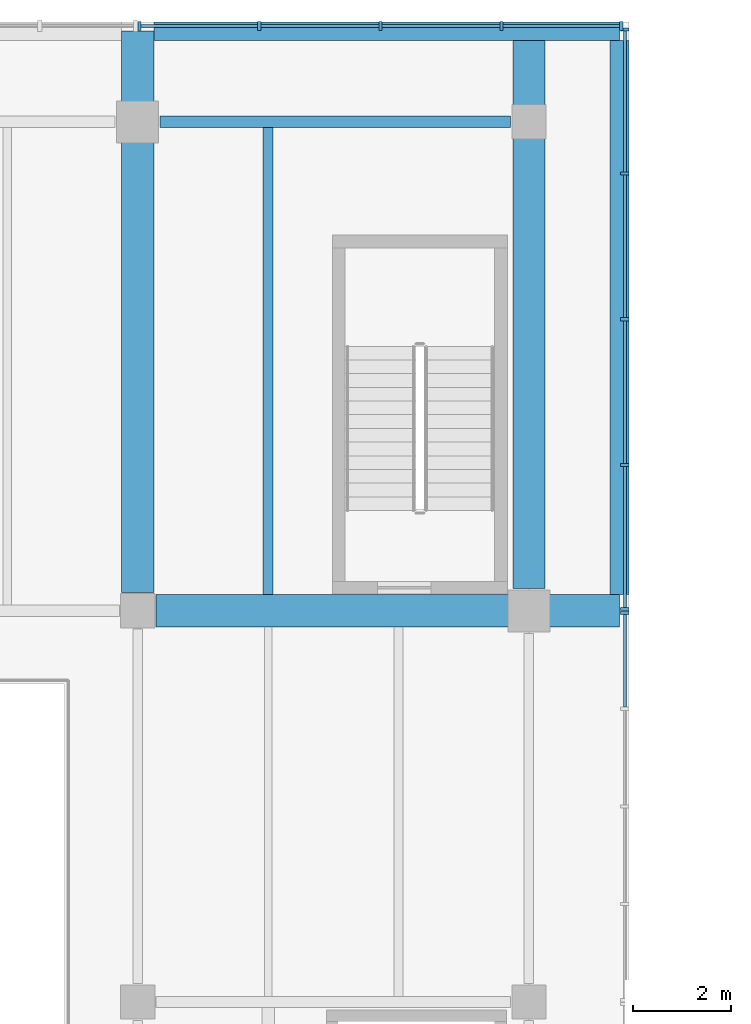
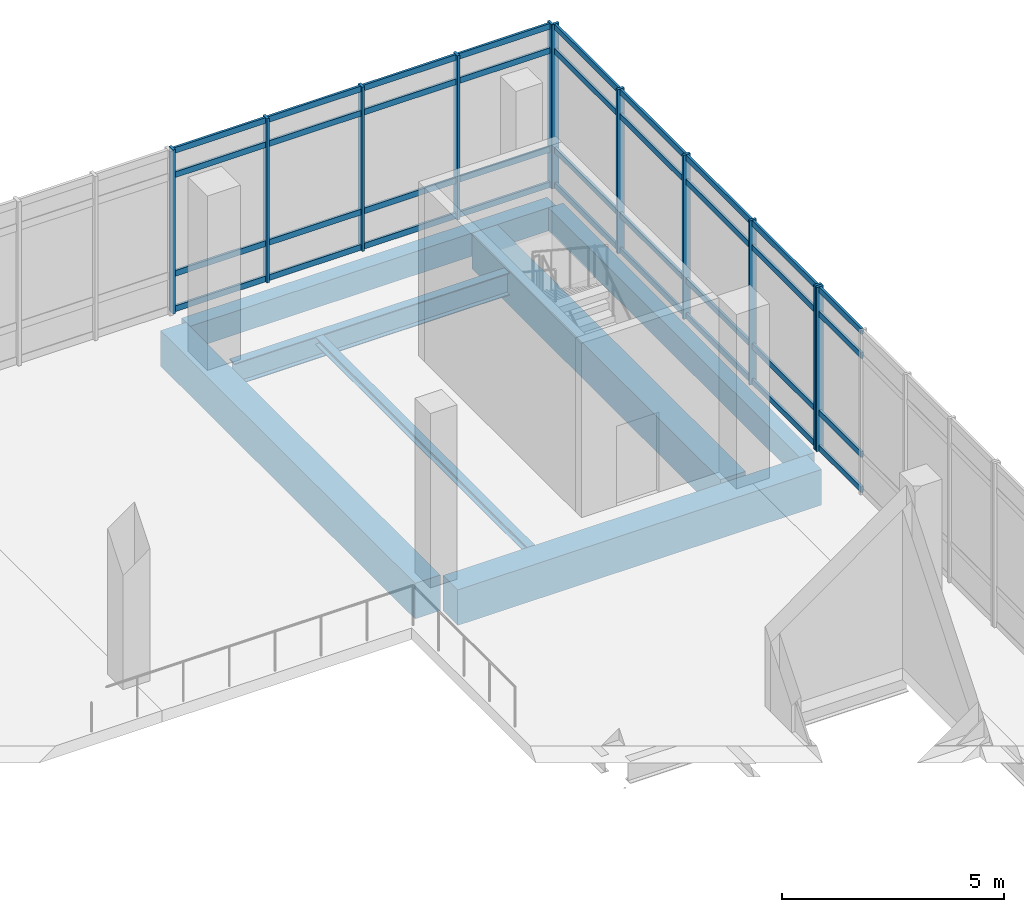
# One storey, part 23 of 47: 47 members, 7 beams, 3 elements without a shape of their own.
"""IFC4 building model written with IfcOpenShell, lengths in metres."""

from ifc_helpers import new_model, si_unit, direction, frame, origin, origin_2d, place, context, subcontext, project, spatial, rectangle, i_section, extrude, material, material_profile, profile_set, type_object, element, aggregate, save


model = new_model("IFC4")

# Units and contexts
model_context = context("Model", 3, precision=1e-05, world=origin(), true_north=direction((0.0, 1.0)))
body_context = subcontext(model_context, "Body", "Model", "MODEL_VIEW")
ifc_project = project(units=[si_unit("LENGTHUNIT", "METRE"), si_unit("AREAUNIT", "SQUARE_METRE"), si_unit("VOLUMEUNIT", "CUBIC_METRE"), si_unit("PLANEANGLEUNIT", "RADIAN"), si_unit("MASSUNIT", "GRAM", prefix="KILO")], contexts=[model_context])

# Site, building, storey
site_placement = place(None, origin())
site = spatial("IfcSite", under=ifc_project, at=site_placement, CompositionType="ELEMENT")
building_placement = place(site_placement, origin())
building = spatial("IfcBuilding", under=site, at=building_placement, Name="Pecanmere Concourse Central Library", CompositionType="ELEMENT")
storey_placement = place(building_placement, frame((0.0, 0.0, 15.300048828125)))
storey = spatial("IfcBuildingStorey", under=building, at=storey_placement, Name="L04", CompositionType="ELEMENT", Elevation=15.300048828125)

# Curtain wall, members
ifc_material_1 = material(Name="Anodized bronze aluminium alloy 6063-T6", Category="aluminium")
curtain_wall_type = type_object("IfcCurtainWallType", Name="CW_PLUMB_BANDED", PredefinedType="USERDEFINED", material=ifc_material_1)
curtain_wall_1_placement = place(storey_placement, origin())
curtain_wall_1 = element("IfcCurtainWall", 1, at=curtain_wall_1_placement, inside=storey, type_object=curtain_wall_type, Name="Unitised Curtain Wall CW-02 L04-038", ObjectType="UNITISED CURTAIN WALL", PredefinedType="USERDEFINED")
ifc_material_2 = material(Name="Anodized bronze aluminium alloy 6063-T6", Category="aluminium")
ifc_material_profile_1 = material_profile(ifc_material_2, rectangle(XDim=0.06494140625, YDim=0.179931640625, at=origin_2d()), Name="AL 65x180")
ifc_profile_set_1 = profile_set([ifc_material_profile_1], Name="Anodized bronze aluminium alloy 6063-T6")
member_type_1 = type_object("IfcMemberType", Name="CWM_180x65", PredefinedType="MULLION", material=ifc_profile_set_1)
member_1_placement = place(storey_placement, frame((105.888916015625, 125.96142578125, 0.0), z_axis=(0.0, 0.0, 1.0), x_axis=(-1.0, 0.0, 0.0)))
member_1 = element("IfcMember", 2, at=member_1_placement, type_object=member_type_1, Name="CW-02 Mullion 1", PredefinedType="MULLION", context=body_context, shape_type="SweptSolid", body=[
    extrude(rectangle(XDim=0.06494140625, YDim=0.179931640625, at=origin_2d()), origin(), (0.0, 0.0, 1.0), 4.52001953125),
])
member_2_placement = place(storey_placement, frame((103.4423828125, 125.96142578125, 0.0), z_axis=(0.0, 0.0, 1.0), x_axis=(-1.0, 0.0, 0.0)))
member_2 = element("IfcMember", 3, at=member_2_placement, type_object=member_type_1, Name="CW-02 Mullion 2", PredefinedType="MULLION", context=body_context, shape_type="SweptSolid", body=[
    extrude(rectangle(XDim=0.06494140625, YDim=0.179931640625, at=origin_2d()), origin(), (0.0, 0.0, 1.0), 4.52001953125),
])
member_3_placement = place(storey_placement, frame((100.963134765625, 125.96142578125, 0.0), z_axis=(0.0, 0.0, 1.0), x_axis=(-1.0, 0.0, 0.0)))
member_3 = element("IfcMember", 4, at=member_3_placement, type_object=member_type_1, Name="CW-02 Mullion 3", PredefinedType="MULLION", context=body_context, shape_type="SweptSolid", body=[
    extrude(rectangle(XDim=0.06494140625, YDim=0.179931640625, at=origin_2d()), origin(), (0.0, 0.0, 1.0), 4.52001953125),
])
member_4_placement = place(storey_placement, frame((98.484130859375, 125.96142578125, 0.0), z_axis=(0.0, 0.0, 1.0), x_axis=(-1.0, 0.0, 0.0)))
member_4 = element("IfcMember", 5, at=member_4_placement, type_object=member_type_1, Name="CW-02 Mullion 4", PredefinedType="MULLION", context=body_context, shape_type="SweptSolid", body=[
    extrude(rectangle(XDim=0.06494140625, YDim=0.179931640625, at=origin_2d()), origin(), (0.0, 0.0, 1.0), 4.52001953125),
])
member_5_placement = place(storey_placement, frame((96.03759765625, 125.96142578125, 0.0), z_axis=(0.0, 0.0, 1.0), x_axis=(-1.0, 0.0, 0.0)))
member_5 = element("IfcMember", 6, at=member_5_placement, type_object=member_type_1, Name="CW-02 Mullion 5", PredefinedType="MULLION", context=body_context, shape_type="SweptSolid", body=[
    extrude(rectangle(XDim=0.06494140625, YDim=0.179931640625, at=origin_2d()), origin(), (0.0, 0.0, 1.0), 4.52001953125),
])

# Curtain wall, member
curtain_wall_2_placement = place(storey_placement, origin())
curtain_wall_2 = element("IfcCurtainWall", 7, at=curtain_wall_2_placement, inside=storey, type_object=curtain_wall_type, Name="Unitised Curtain Wall CW-02 L04-048", ObjectType="UNITISED CURTAIN WALL", PredefinedType="USERDEFINED")
member_6_placement = place(storey_placement, frame((105.96142578125, 113.96240234375, 0.0), z_axis=(0.0, 0.0, 1.0), x_axis=(0.0, 1.0, 0.0)))
member_6 = element("IfcMember", 8, at=member_6_placement, type_object=member_type_1, Name="CW-02 Mullion 5", PredefinedType="MULLION", context=body_context, shape_type="SweptSolid", body=[
    extrude(rectangle(XDim=0.06494140625, YDim=0.179931640625, at=origin_2d()), origin(), (0.0, 0.0, 1.0), 4.52001953125),
])

# Curtain wall, members
curtain_wall_3_placement = place(storey_placement, origin())
curtain_wall_3 = element("IfcCurtainWall", 9, at=curtain_wall_3_placement, inside=storey, type_object=curtain_wall_type, Name="Unitised Curtain Wall CW-02 L04-049", ObjectType="UNITISED CURTAIN WALL", PredefinedType="USERDEFINED")
member_7_placement = place(storey_placement, frame((105.96142578125, 114.03759765625, 0.0), z_axis=(0.0, 0.0, 1.0), x_axis=(0.0, 1.0, 0.0)))
member_7 = element("IfcMember", 10, at=member_7_placement, type_object=member_type_1, Name="CW-02 Mullion 1", PredefinedType="MULLION", context=body_context, shape_type="SweptSolid", body=[
    extrude(rectangle(XDim=0.06494140625, YDim=0.179931640625, at=origin_2d()), origin(), (0.0, 0.0, 1.0), 4.52001953125),
])
member_8_placement = place(storey_placement, frame((105.96142578125, 116.984130859375, 0.0), z_axis=(0.0, 0.0, 1.0), x_axis=(0.0, 1.0, 0.0)))
member_8 = element("IfcMember", 11, at=member_8_placement, type_object=member_type_1, Name="CW-02 Mullion 2", PredefinedType="MULLION", context=body_context, shape_type="SweptSolid", body=[
    extrude(rectangle(XDim=0.06494140625, YDim=0.179931640625, at=origin_2d()), origin(), (0.0, 0.0, 1.0), 4.52001953125),
])
member_9_placement = place(storey_placement, frame((105.96142578125, 119.963134765625, 0.0), z_axis=(0.0, 0.0, 1.0), x_axis=(0.0, 1.0, 0.0)))
member_9 = element("IfcMember", 12, at=member_9_placement, type_object=member_type_1, Name="CW-02 Mullion 3", PredefinedType="MULLION", context=body_context, shape_type="SweptSolid", body=[
    extrude(rectangle(XDim=0.06494140625, YDim=0.179931640625, at=origin_2d()), origin(), (0.0, 0.0, 1.0), 4.52001953125),
])
member_10_placement = place(storey_placement, frame((105.96142578125, 122.9423828125, 0.0), z_axis=(0.0, 0.0, 1.0), x_axis=(0.0, 1.0, 0.0)))
member_10 = element("IfcMember", 13, at=member_10_placement, type_object=member_type_1, Name="CW-02 Mullion 4", PredefinedType="MULLION", context=body_context, shape_type="SweptSolid", body=[
    extrude(rectangle(XDim=0.06494140625, YDim=0.179931640625, at=origin_2d()), origin(), (0.0, 0.0, 1.0), 4.52001953125),
])
member_11_placement = place(storey_placement, frame((105.96142578125, 125.888916015625, 0.0), z_axis=(0.0, 0.0, 1.0), x_axis=(0.0, 1.0, 0.0)))
member_11 = element("IfcMember", 14, at=member_11_placement, type_object=member_type_1, Name="CW-02 Mullion 5", PredefinedType="MULLION", context=body_context, shape_type="SweptSolid", body=[
    extrude(rectangle(XDim=0.06494140625, YDim=0.179931640625, at=origin_2d()), origin(), (0.0, 0.0, 1.0), 4.52001953125),
])

# Member
ifc_material_3 = material(Name="Anodized bronze aluminium alloy 6063-T6", Category="aluminium")
ifc_material_profile_2 = material_profile(ifc_material_3, rectangle(XDim=0.06005859375, YDim=0.159912109375, at=origin_2d()), Name="AL 60x160")
ifc_profile_set_2 = profile_set([ifc_material_profile_2], Name="Anodized bronze aluminium alloy 6063-T6")
member_type_2 = type_object("IfcMemberType", Name="CWT_160x60", PredefinedType="USERDEFINED", material=ifc_profile_set_2)
member_12_placement = place(storey_placement, frame((105.8564453125, 125.96142578125, 0.079833984375), z_axis=(-1.0, 0.0, 0.0), x_axis=(0.0, -1.0, 0.0)))
member_12 = element("IfcMember", 15, at=member_12_placement, type_object=member_type_2, Name="CW-02 Transom 1.1", ObjectType="TRANSOM", PredefinedType="USERDEFINED", context=body_context, shape_type="SweptSolid", body=[
    extrude(rectangle(XDim=0.06005859375, YDim=0.159912109375, at=origin_2d()), origin(), (0.0, 0.0, 1.0), 2.381591796875),
])

member_13_placement = place(storey_placement, frame((105.8564453125, 125.96142578125, 1.050048828125), z_axis=(-1.0, 0.0, 0.0), x_axis=(0.0, -1.0, 0.0)))
member_13 = element("IfcMember", 16, at=member_13_placement, type_object=member_type_2, Name="CW-02 Transom 1.2", ObjectType="TRANSOM", PredefinedType="USERDEFINED", context=body_context, shape_type="SweptSolid", body=[
    extrude(rectangle(XDim=0.06005859375, YDim=0.159912109375, at=origin_2d()), origin(), (0.0, 0.0, 1.0), 2.381591796875),
])

member_14_placement = place(storey_placement, frame((105.8564453125, 125.96142578125, 3.77001953125), z_axis=(-1.0, 0.0, 0.0), x_axis=(0.0, -1.0, 0.0)))
member_14 = element("IfcMember", 17, at=member_14_placement, type_object=member_type_2, Name="CW-02 Transom 1.3", ObjectType="TRANSOM", PredefinedType="USERDEFINED", context=body_context, shape_type="SweptSolid", body=[
    extrude(rectangle(XDim=0.06005859375, YDim=0.159912109375, at=origin_2d()), origin(), (0.0, 0.0, 1.0), 2.381591796875),
])

member_15_placement = place(storey_placement, frame((105.8564453125, 125.96142578125, 4.43994140625), z_axis=(-1.0, 0.0, 0.0), x_axis=(0.0, -1.0, 0.0)))
member_15 = element("IfcMember", 18, at=member_15_placement, type_object=member_type_2, Name="CW-02 Transom 1.4", ObjectType="TRANSOM", PredefinedType="USERDEFINED", context=body_context, shape_type="SweptSolid", body=[
    extrude(rectangle(XDim=0.06005859375, YDim=0.159912109375, at=origin_2d()), origin(), (0.0, 0.0, 1.0), 2.381591796875),
])

member_16_placement = place(storey_placement, frame((103.409912109375, 125.96142578125, 0.079833984375), z_axis=(-1.0, 0.0, 0.0), x_axis=(0.0, -1.0, 0.0)))
member_16 = element("IfcMember", 19, at=member_16_placement, type_object=member_type_2, Name="CW-02 Transom 2.1", ObjectType="TRANSOM", PredefinedType="USERDEFINED", context=body_context, shape_type="SweptSolid", body=[
    extrude(rectangle(XDim=0.06005859375, YDim=0.159912109375, at=origin_2d()), origin(), (0.0, 0.0, 1.0), 2.4140625),
])

member_17_placement = place(storey_placement, frame((103.409912109375, 125.96142578125, 1.050048828125), z_axis=(-1.0, 0.0, 0.0), x_axis=(0.0, -1.0, 0.0)))
member_17 = element("IfcMember", 20, at=member_17_placement, type_object=member_type_2, Name="CW-02 Transom 2.2", ObjectType="TRANSOM", PredefinedType="USERDEFINED", context=body_context, shape_type="SweptSolid", body=[
    extrude(rectangle(XDim=0.06005859375, YDim=0.159912109375, at=origin_2d()), origin(), (0.0, 0.0, 1.0), 2.4140625),
])

member_18_placement = place(storey_placement, frame((103.409912109375, 125.96142578125, 3.77001953125), z_axis=(-1.0, 0.0, 0.0), x_axis=(0.0, -1.0, 0.0)))
member_18 = element("IfcMember", 21, at=member_18_placement, type_object=member_type_2, Name="CW-02 Transom 2.3", ObjectType="TRANSOM", PredefinedType="USERDEFINED", context=body_context, shape_type="SweptSolid", body=[
    extrude(rectangle(XDim=0.06005859375, YDim=0.159912109375, at=origin_2d()), origin(), (0.0, 0.0, 1.0), 2.4140625),
])

member_19_placement = place(storey_placement, frame((103.409912109375, 125.96142578125, 4.43994140625), z_axis=(-1.0, 0.0, 0.0), x_axis=(0.0, -1.0, 0.0)))
member_19 = element("IfcMember", 22, at=member_19_placement, type_object=member_type_2, Name="CW-02 Transom 2.4", ObjectType="TRANSOM", PredefinedType="USERDEFINED", context=body_context, shape_type="SweptSolid", body=[
    extrude(rectangle(XDim=0.06005859375, YDim=0.159912109375, at=origin_2d()), origin(), (0.0, 0.0, 1.0), 2.4140625),
])

member_20_placement = place(storey_placement, frame((100.9306640625, 125.96142578125, 0.079833984375), z_axis=(-1.0, 0.0, 0.0), x_axis=(0.0, -1.0, 0.0)))
member_20 = element("IfcMember", 23, at=member_20_placement, type_object=member_type_2, Name="CW-02 Transom 3.1", ObjectType="TRANSOM", PredefinedType="USERDEFINED", context=body_context, shape_type="SweptSolid", body=[
    extrude(rectangle(XDim=0.06005859375, YDim=0.159912109375, at=origin_2d()), origin(), (0.0, 0.0, 1.0), 2.4140625),
])

member_21_placement = place(storey_placement, frame((100.9306640625, 125.96142578125, 1.050048828125), z_axis=(-1.0, 0.0, 0.0), x_axis=(0.0, -1.0, 0.0)))
member_21 = element("IfcMember", 24, at=member_21_placement, type_object=member_type_2, Name="CW-02 Transom 3.2", ObjectType="TRANSOM", PredefinedType="USERDEFINED", context=body_context, shape_type="SweptSolid", body=[
    extrude(rectangle(XDim=0.06005859375, YDim=0.159912109375, at=origin_2d()), origin(), (0.0, 0.0, 1.0), 2.4140625),
])

member_22_placement = place(storey_placement, frame((100.9306640625, 125.96142578125, 3.77001953125), z_axis=(-1.0, 0.0, 0.0), x_axis=(0.0, -1.0, 0.0)))
member_22 = element("IfcMember", 25, at=member_22_placement, type_object=member_type_2, Name="CW-02 Transom 3.3", ObjectType="TRANSOM", PredefinedType="USERDEFINED", context=body_context, shape_type="SweptSolid", body=[
    extrude(rectangle(XDim=0.06005859375, YDim=0.159912109375, at=origin_2d()), origin(), (0.0, 0.0, 1.0), 2.4140625),
])

member_23_placement = place(storey_placement, frame((100.9306640625, 125.96142578125, 4.43994140625), z_axis=(-1.0, 0.0, 0.0), x_axis=(0.0, -1.0, 0.0)))
member_23 = element("IfcMember", 26, at=member_23_placement, type_object=member_type_2, Name="CW-02 Transom 3.4", ObjectType="TRANSOM", PredefinedType="USERDEFINED", context=body_context, shape_type="SweptSolid", body=[
    extrude(rectangle(XDim=0.06005859375, YDim=0.159912109375, at=origin_2d()), origin(), (0.0, 0.0, 1.0), 2.4140625),
])

member_24_placement = place(storey_placement, frame((98.45166015625, 125.96142578125, 0.079833984375), z_axis=(-1.0, 0.0, 0.0), x_axis=(0.0, -1.0, 0.0)))
member_24 = element("IfcMember", 27, at=member_24_placement, type_object=member_type_2, Name="CW-02 Transom 4.1", ObjectType="TRANSOM", PredefinedType="USERDEFINED", context=body_context, shape_type="SweptSolid", body=[
    extrude(rectangle(XDim=0.06005859375, YDim=0.159912109375, at=origin_2d()), origin(), (0.0, 0.0, 1.0), 2.381591796875),
])

member_25_placement = place(storey_placement, frame((98.45166015625, 125.96142578125, 1.050048828125), z_axis=(-1.0, 0.0, 0.0), x_axis=(0.0, -1.0, 0.0)))
member_25 = element("IfcMember", 28, at=member_25_placement, type_object=member_type_2, Name="CW-02 Transom 4.2", ObjectType="TRANSOM", PredefinedType="USERDEFINED", context=body_context, shape_type="SweptSolid", body=[
    extrude(rectangle(XDim=0.06005859375, YDim=0.159912109375, at=origin_2d()), origin(), (0.0, 0.0, 1.0), 2.381591796875),
])

member_26_placement = place(storey_placement, frame((98.45166015625, 125.96142578125, 3.77001953125), z_axis=(-1.0, 0.0, 0.0), x_axis=(0.0, -1.0, 0.0)))
member_26 = element("IfcMember", 29, at=member_26_placement, type_object=member_type_2, Name="CW-02 Transom 4.3", ObjectType="TRANSOM", PredefinedType="USERDEFINED", context=body_context, shape_type="SweptSolid", body=[
    extrude(rectangle(XDim=0.06005859375, YDim=0.159912109375, at=origin_2d()), origin(), (0.0, 0.0, 1.0), 2.381591796875),
])

member_27_placement = place(storey_placement, frame((98.45166015625, 125.96142578125, 4.43994140625), z_axis=(-1.0, 0.0, 0.0), x_axis=(0.0, -1.0, 0.0)))
member_27 = element("IfcMember", 30, at=member_27_placement, type_object=member_type_2, Name="CW-02 Transom 4.4", ObjectType="TRANSOM", PredefinedType="USERDEFINED", context=body_context, shape_type="SweptSolid", body=[
    extrude(rectangle(XDim=0.06005859375, YDim=0.159912109375, at=origin_2d()), origin(), (0.0, 0.0, 1.0), 2.381591796875),
])

aggregate(curtain_wall_1, [member_1, member_2, member_3, member_4, member_5, member_12, member_13, member_14, member_15, member_16, member_17, member_18, member_19, member_20, member_21, member_22, member_23, member_24, member_25, member_26, member_27])

member_28_placement = place(storey_placement, frame((105.96142578125, 112.030029296875, 0.079833984375), z_axis=(0.0, 1.0, 0.0), x_axis=(-1.0, 0.0, 0.0)))
member_28 = element("IfcMember", 31, at=member_28_placement, type_object=member_type_2, Name="CW-02 Transom 4.1", ObjectType="TRANSOM", PredefinedType="USERDEFINED", context=body_context, shape_type="SweptSolid", body=[
    extrude(rectangle(XDim=0.06005859375, YDim=0.159912109375, at=origin_2d()), origin(), (0.0, 0.0, 1.0), 1.89990234375),
])

member_29_placement = place(storey_placement, frame((105.96142578125, 112.030029296875, 1.050048828125), z_axis=(0.0, 1.0, 0.0), x_axis=(-1.0, 0.0, 0.0)))
member_29 = element("IfcMember", 32, at=member_29_placement, type_object=member_type_2, Name="CW-02 Transom 4.2", ObjectType="TRANSOM", PredefinedType="USERDEFINED", context=body_context, shape_type="SweptSolid", body=[
    extrude(rectangle(XDim=0.06005859375, YDim=0.159912109375, at=origin_2d()), origin(), (0.0, 0.0, 1.0), 1.89990234375),
])

member_30_placement = place(storey_placement, frame((105.96142578125, 112.030029296875, 3.77001953125), z_axis=(0.0, 1.0, 0.0), x_axis=(-1.0, 0.0, 0.0)))
member_30 = element("IfcMember", 33, at=member_30_placement, type_object=member_type_2, Name="CW-02 Transom 4.3", ObjectType="TRANSOM", PredefinedType="USERDEFINED", context=body_context, shape_type="SweptSolid", body=[
    extrude(rectangle(XDim=0.06005859375, YDim=0.159912109375, at=origin_2d()), origin(), (0.0, 0.0, 1.0), 1.89990234375),
])

member_31_placement = place(storey_placement, frame((105.96142578125, 112.030029296875, 4.43994140625), z_axis=(0.0, 1.0, 0.0), x_axis=(-1.0, 0.0, 0.0)))
member_31 = element("IfcMember", 34, at=member_31_placement, type_object=member_type_2, Name="CW-02 Transom 4.4", ObjectType="TRANSOM", PredefinedType="USERDEFINED", context=body_context, shape_type="SweptSolid", body=[
    extrude(rectangle(XDim=0.06005859375, YDim=0.159912109375, at=origin_2d()), origin(), (0.0, 0.0, 1.0), 1.89990234375),
])

aggregate(curtain_wall_2, [member_6, member_28, member_29, member_30, member_31])

member_32_placement = place(storey_placement, frame((105.96142578125, 114.070068359375, 0.079833984375), z_axis=(0.0, 1.0, 0.0), x_axis=(-1.0, 0.0, 0.0)))
member_32 = element("IfcMember", 35, at=member_32_placement, type_object=member_type_2, Name="CW-02 Transom 1.1", ObjectType="TRANSOM", PredefinedType="USERDEFINED", context=body_context, shape_type="SweptSolid", body=[
    extrude(rectangle(XDim=0.06005859375, YDim=0.159912109375, at=origin_2d()), origin(), (0.0, 0.0, 1.0), 2.881591796875),
])

member_33_placement = place(storey_placement, frame((105.96142578125, 114.070068359375, 1.050048828125), z_axis=(0.0, 1.0, 0.0), x_axis=(-1.0, 0.0, 0.0)))
member_33 = element("IfcMember", 36, at=member_33_placement, type_object=member_type_2, Name="CW-02 Transom 1.2", ObjectType="TRANSOM", PredefinedType="USERDEFINED", context=body_context, shape_type="SweptSolid", body=[
    extrude(rectangle(XDim=0.06005859375, YDim=0.159912109375, at=origin_2d()), origin(), (0.0, 0.0, 1.0), 2.881591796875),
])

member_34_placement = place(storey_placement, frame((105.96142578125, 114.070068359375, 3.77001953125), z_axis=(0.0, 1.0, 0.0), x_axis=(-1.0, 0.0, 0.0)))
member_34 = element("IfcMember", 37, at=member_34_placement, type_object=member_type_2, Name="CW-02 Transom 1.3", ObjectType="TRANSOM", PredefinedType="USERDEFINED", context=body_context, shape_type="SweptSolid", body=[
    extrude(rectangle(XDim=0.06005859375, YDim=0.159912109375, at=origin_2d()), origin(), (0.0, 0.0, 1.0), 2.881591796875),
])

member_35_placement = place(storey_placement, frame((105.96142578125, 114.070068359375, 4.43994140625), z_axis=(0.0, 1.0, 0.0), x_axis=(-1.0, 0.0, 0.0)))
member_35 = element("IfcMember", 38, at=member_35_placement, type_object=member_type_2, Name="CW-02 Transom 1.4", ObjectType="TRANSOM", PredefinedType="USERDEFINED", context=body_context, shape_type="SweptSolid", body=[
    extrude(rectangle(XDim=0.06005859375, YDim=0.159912109375, at=origin_2d()), origin(), (0.0, 0.0, 1.0), 2.881591796875),
])

member_36_placement = place(storey_placement, frame((105.96142578125, 117.0166015625, 0.079833984375), z_axis=(0.0, 1.0, 0.0), x_axis=(-1.0, 0.0, 0.0)))
member_36 = element("IfcMember", 39, at=member_36_placement, type_object=member_type_2, Name="CW-02 Transom 2.1", ObjectType="TRANSOM", PredefinedType="USERDEFINED", context=body_context, shape_type="SweptSolid", body=[
    extrude(rectangle(XDim=0.06005859375, YDim=0.159912109375, at=origin_2d()), origin(), (0.0, 0.0, 1.0), 2.9140625),
])

member_37_placement = place(storey_placement, frame((105.96142578125, 117.0166015625, 1.050048828125), z_axis=(0.0, 1.0, 0.0), x_axis=(-1.0, 0.0, 0.0)))
member_37 = element("IfcMember", 40, at=member_37_placement, type_object=member_type_2, Name="CW-02 Transom 2.2", ObjectType="TRANSOM", PredefinedType="USERDEFINED", context=body_context, shape_type="SweptSolid", body=[
    extrude(rectangle(XDim=0.06005859375, YDim=0.159912109375, at=origin_2d()), origin(), (0.0, 0.0, 1.0), 2.9140625),
])

member_38_placement = place(storey_placement, frame((105.96142578125, 117.0166015625, 3.77001953125), z_axis=(0.0, 1.0, 0.0), x_axis=(-1.0, 0.0, 0.0)))
member_38 = element("IfcMember", 41, at=member_38_placement, type_object=member_type_2, Name="CW-02 Transom 2.3", ObjectType="TRANSOM", PredefinedType="USERDEFINED", context=body_context, shape_type="SweptSolid", body=[
    extrude(rectangle(XDim=0.06005859375, YDim=0.159912109375, at=origin_2d()), origin(), (0.0, 0.0, 1.0), 2.9140625),
])

member_39_placement = place(storey_placement, frame((105.96142578125, 117.0166015625, 4.43994140625), z_axis=(0.0, 1.0, 0.0), x_axis=(-1.0, 0.0, 0.0)))
member_39 = element("IfcMember", 42, at=member_39_placement, type_object=member_type_2, Name="CW-02 Transom 2.4", ObjectType="TRANSOM", PredefinedType="USERDEFINED", context=body_context, shape_type="SweptSolid", body=[
    extrude(rectangle(XDim=0.06005859375, YDim=0.159912109375, at=origin_2d()), origin(), (0.0, 0.0, 1.0), 2.9140625),
])

member_40_placement = place(storey_placement, frame((105.96142578125, 119.995849609375, 0.079833984375), z_axis=(0.0, 1.0, 0.0), x_axis=(-1.0, 0.0, 0.0)))
member_40 = element("IfcMember", 43, at=member_40_placement, type_object=member_type_2, Name="CW-02 Transom 3.1", ObjectType="TRANSOM", PredefinedType="USERDEFINED", context=body_context, shape_type="SweptSolid", body=[
    extrude(rectangle(XDim=0.06005859375, YDim=0.159912109375, at=origin_2d()), origin(), (0.0, 0.0, 1.0), 2.9140625),
])

member_41_placement = place(storey_placement, frame((105.96142578125, 119.995849609375, 1.050048828125), z_axis=(0.0, 1.0, 0.0), x_axis=(-1.0, 0.0, 0.0)))
member_41 = element("IfcMember", 44, at=member_41_placement, type_object=member_type_2, Name="CW-02 Transom 3.2", ObjectType="TRANSOM", PredefinedType="USERDEFINED", context=body_context, shape_type="SweptSolid", body=[
    extrude(rectangle(XDim=0.06005859375, YDim=0.159912109375, at=origin_2d()), origin(), (0.0, 0.0, 1.0), 2.9140625),
])

member_42_placement = place(storey_placement, frame((105.96142578125, 119.995849609375, 3.77001953125), z_axis=(0.0, 1.0, 0.0), x_axis=(-1.0, 0.0, 0.0)))
member_42 = element("IfcMember", 45, at=member_42_placement, type_object=member_type_2, Name="CW-02 Transom 3.3", ObjectType="TRANSOM", PredefinedType="USERDEFINED", context=body_context, shape_type="SweptSolid", body=[
    extrude(rectangle(XDim=0.06005859375, YDim=0.159912109375, at=origin_2d()), origin(), (0.0, 0.0, 1.0), 2.9140625),
])

member_43_placement = place(storey_placement, frame((105.96142578125, 119.995849609375, 4.43994140625), z_axis=(0.0, 1.0, 0.0), x_axis=(-1.0, 0.0, 0.0)))
member_43 = element("IfcMember", 46, at=member_43_placement, type_object=member_type_2, Name="CW-02 Transom 3.4", ObjectType="TRANSOM", PredefinedType="USERDEFINED", context=body_context, shape_type="SweptSolid", body=[
    extrude(rectangle(XDim=0.06005859375, YDim=0.159912109375, at=origin_2d()), origin(), (0.0, 0.0, 1.0), 2.9140625),
])

member_44_placement = place(storey_placement, frame((105.96142578125, 122.974853515625, 0.079833984375), z_axis=(0.0, 1.0, 0.0), x_axis=(-1.0, 0.0, 0.0)))
member_44 = element("IfcMember", 47, at=member_44_placement, type_object=member_type_2, Name="CW-02 Transom 4.1", ObjectType="TRANSOM", PredefinedType="USERDEFINED", context=body_context, shape_type="SweptSolid", body=[
    extrude(rectangle(XDim=0.06005859375, YDim=0.159912109375, at=origin_2d()), origin(), (0.0, 0.0, 1.0), 2.881591796875),
])

member_45_placement = place(storey_placement, frame((105.96142578125, 122.974853515625, 1.050048828125), z_axis=(0.0, 1.0, 0.0), x_axis=(-1.0, 0.0, 0.0)))
member_45 = element("IfcMember", 48, at=member_45_placement, type_object=member_type_2, Name="CW-02 Transom 4.2", ObjectType="TRANSOM", PredefinedType="USERDEFINED", context=body_context, shape_type="SweptSolid", body=[
    extrude(rectangle(XDim=0.06005859375, YDim=0.159912109375, at=origin_2d()), origin(), (0.0, 0.0, 1.0), 2.881591796875),
])

member_46_placement = place(storey_placement, frame((105.96142578125, 122.974853515625, 3.77001953125), z_axis=(0.0, 1.0, 0.0), x_axis=(-1.0, 0.0, 0.0)))
member_46 = element("IfcMember", 49, at=member_46_placement, type_object=member_type_2, Name="CW-02 Transom 4.3", ObjectType="TRANSOM", PredefinedType="USERDEFINED", context=body_context, shape_type="SweptSolid", body=[
    extrude(rectangle(XDim=0.06005859375, YDim=0.159912109375, at=origin_2d()), origin(), (0.0, 0.0, 1.0), 2.881591796875),
])

member_47_placement = place(storey_placement, frame((105.96142578125, 122.974853515625, 4.43994140625), z_axis=(0.0, 1.0, 0.0), x_axis=(-1.0, 0.0, 0.0)))
member_47 = element("IfcMember", 50, at=member_47_placement, type_object=member_type_2, Name="CW-02 Transom 4.4", ObjectType="TRANSOM", PredefinedType="USERDEFINED", context=body_context, shape_type="SweptSolid", body=[
    extrude(rectangle(XDim=0.06005859375, YDim=0.159912109375, at=origin_2d()), origin(), (0.0, 0.0, 1.0), 2.881591796875),
])

aggregate(curtain_wall_3, [member_7, member_8, member_9, member_10, member_11, member_32, member_33, member_34, member_35, member_36, member_37, member_38, member_39, member_40, member_41, member_42, member_43, member_44, member_45, member_46, member_47])

# Beams
ifc_material_4 = material(Name="Concrete C40/50", Category="concrete")
ifc_material_profile_3 = material_profile(ifc_material_4, rectangle(XDim=0.659912109375, YDim=0.97998046875, at=origin_2d()), Name="RC 660x980")
ifc_profile_set_3 = profile_set([ifc_material_profile_3], Name="Concrete C40/50")
beam_type_1 = type_object("IfcBeamType", Name="GRD_660x980", PredefinedType="USERDEFINED", material=ifc_profile_set_3)
beam_1_placement = place(storey_placement, frame((96.375, 114.0, -0.81005859375), z_axis=(1.0, 0.0, 0.0), x_axis=(0.0, 1.0, 0.0)))
element("IfcBeam", 51, at=beam_1_placement, inside=storey, type_object=beam_type_1, Name="Primary Girder X L04-2216", ObjectType="GIRDER", PredefinedType="USERDEFINED", context=body_context, shape_type="SweptSolid", body=[
    extrude(rectangle(XDim=0.659912109375, YDim=0.97998046875, at=origin_2d()), origin(), (0.0, 0.0, 1.0), 9.4765625),
])
beam_2_placement = place(storey_placement, frame((96.0, 114.375, -0.81005859375), z_axis=(0.0, 1.0, 0.0), x_axis=(-1.0, 0.0, 0.0)))
element("IfcBeam", 52, at=beam_2_placement, inside=storey, type_object=beam_type_1, Name="Primary Girder Y L04-2284", ObjectType="GIRDER", PredefinedType="USERDEFINED", context=body_context, shape_type="SweptSolid", body=[
    extrude(rectangle(XDim=0.659912109375, YDim=0.97998046875, at=origin_2d()), origin(), (0.0, 0.0, 1.0), 11.4765625),
])
beam_3_placement = place(storey_placement, frame((104.0, 114.4599609375, -0.81005859375), z_axis=(0.0, 1.0, 0.0), x_axis=(-1.0, 0.0, 0.0)))
element("IfcBeam", 53, at=beam_3_placement, inside=storey, type_object=beam_type_1, Name="Primary Girder Y L04-2288", ObjectType="GIRDER", PredefinedType="USERDEFINED", context=body_context, shape_type="SweptSolid", body=[
    extrude(rectangle(XDim=0.659912109375, YDim=0.97998046875, at=origin_2d()), origin(), (0.0, 0.0, 1.0), 11.20166015625),
])
ifc_material_5 = material(Name="Structural steel ASTM A992 Grade 50", Category="steel")
ifc_material_profile_4 = material_profile(ifc_material_5, i_section(OverallWidth=0.2041015625, OverallDepth=0.2060546875, WebThickness=0.0078125, FlangeThickness=0.0126953125, at=origin_2d()), Name="W200x52")
ifc_profile_set_4 = profile_set([ifc_material_profile_4], Name="Structural steel ASTM A992 Grade 50")
beam_type_2 = type_object("IfcBeamType", Name="SBM_W200x52", PredefinedType="JOIST", material=ifc_profile_set_4)
beam_4_placement = place(storey_placement, frame((98.666748046875, 114.330078125, -0.423095703125), z_axis=(0.0, 1.0, 0.0), x_axis=(-1.0, 0.0, 0.0)))
element("IfcBeam", 54, at=beam_4_placement, inside=storey, type_object=beam_type_2, Name="Secondary Floor Joist L04-2399", PredefinedType="JOIST", context=body_context, shape_type="SweptSolid", body=[
    extrude(i_section(OverallWidth=0.2041015625, OverallDepth=0.2060546875, WebThickness=0.0078125, FlangeThickness=0.0126953125, at=origin_2d()), origin(), (0.0, 0.0, 1.0), 9.554931640625),
])
ifc_material_6 = material(Name="Structural steel ASTM A992 Grade 50", Category="steel")
ifc_material_profile_5 = material_profile(ifc_material_6, i_section(OverallWidth=0.22998046875, OverallDepth=0.616943359375, WebThickness=0.01318359375, FlangeThickness=0.022216796875, at=origin_2d()), Name="W610x140")
ifc_profile_set_5 = profile_set([ifc_material_profile_5], Name="Structural steel ASTM A992 Grade 50")
beam_type_3 = type_object("IfcBeamType", Name="SBM_W610x140", PredefinedType="USERDEFINED", material=ifc_profile_set_5)
beam_5_placement = place(storey_placement, frame((96.4599609375, 124.0, -0.628662109375), z_axis=(1.0, 0.0, 0.0), x_axis=(0.0, 1.0, 0.0)))
element("IfcBeam", 55, at=beam_5_placement, inside=storey, type_object=beam_type_3, Name="Primary Girder X L04-2220", ObjectType="GIRDER", PredefinedType="USERDEFINED", context=body_context, shape_type="SweptSolid", body=[
    extrude(i_section(OverallWidth=0.22998046875, OverallDepth=0.616943359375, WebThickness=0.01318359375, FlangeThickness=0.022216796875, at=origin_2d()), origin(), (0.0, 0.0, 1.0), 7.1650390625),
])
ifc_material_7 = material(Name="Concrete C40/50", Category="concrete")
ifc_material_profile_6 = material_profile(ifc_material_7, rectangle(XDim=0.3798828125, YDim=0.639892578125, at=origin_2d()), Name="RC 380x640")
ifc_profile_set_6 = profile_set([ifc_material_profile_6], Name="Concrete C40/50")
beam_type_4 = type_object("IfcBeamType", Name="SPB_380x640", PredefinedType="BEAM", material=ifc_profile_set_6)
beam_6_placement = place(storey_placement, frame((96.330078125, 125.8515625, -0.64013671875), z_axis=(1.0, 0.0, 0.0), x_axis=(0.0, 1.0, 0.0)))
element("IfcBeam", 56, at=beam_6_placement, inside=storey, type_object=beam_type_4, Name="Leaning Facade Edge Beam L04-2345", PredefinedType="BEAM", context=body_context, shape_type="SweptSolid", body=[
    extrude(rectangle(XDim=0.3798828125, YDim=0.639892578125, at=origin_2d()), origin(), (0.0, 0.0, 1.0), 9.521484375),
])
beam_7_placement = place(storey_placement, frame((105.8515625, 114.330078125, -0.64013671875), z_axis=(0.0, 1.0, 0.0), x_axis=(-1.0, 0.0, 0.0)))
element("IfcBeam", 57, at=beam_7_placement, inside=storey, type_object=beam_type_4, Name="Leaning Facade Edge Beam L04-2347", PredefinedType="BEAM", context=body_context, shape_type="SweptSolid", body=[
    extrude(rectangle(XDim=0.3798828125, YDim=0.639892578125, at=origin_2d()), origin(), (0.0, 0.0, 1.0), 11.33154296875),
])

save(model, "model.ifc")
